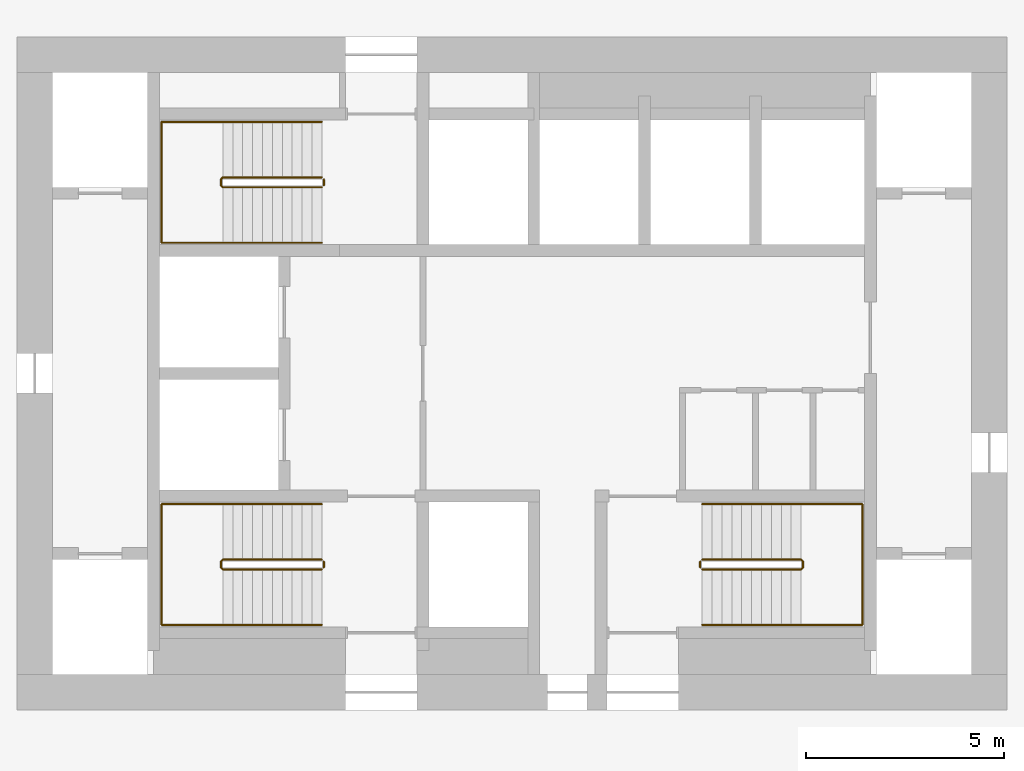
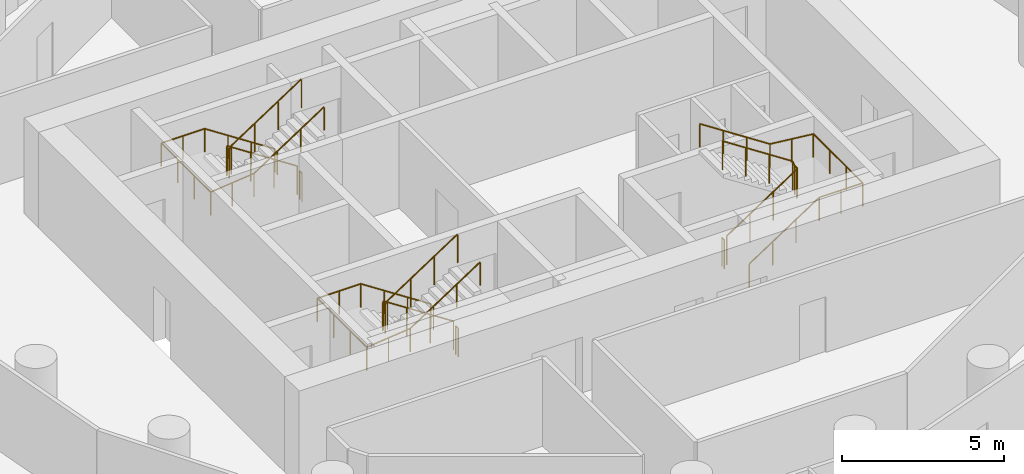
# One storey, part 9 of 9: 9 railings.
"""IFC4 building model written with IfcOpenShell, lengths in metres."""

import ifcopenshell
import ifcopenshell.guid

model = None  # the IFC model being written
_history = None  # IfcOwnerHistory: only IFC2X3 demands one
_inside = {}  # id of a spatial element -> (the spatial element, [elements in it])
_under = {}  # id of a project, library or spatial element -> (it, [spatial elements below it])
_declared = {}  # id of a project -> (the project, [libraries it declares])
_typed = {}  # id of a type object -> (the type object, [elements of that type])
_made_of = {}  # id of a material, layer set ... -> (it, [elements and type objects made of it])


def new_model(schema):
    """Start an empty IFC model of exactly this schema.

    Asked for "IFC4X3", IfcOpenShell would pick the latest addendum, in which some entities
    have other attributes; the version numbers below select the first issue.
    IFC2X3 requires an IfcOwnerHistory on every rooted entity: one is made here for all.
    """
    global model, _history
    if schema == "IFC4X3":
        model = ifcopenshell.file(schema_version=(4, 3, 0, 0))
    else:
        model = ifcopenshell.file(schema=schema)
    _inside.clear()
    _under.clear()
    _declared.clear()
    _typed.clear()
    _made_of.clear()
    _history = None
    if model.schema == "IFC2X3":
        org = make("IfcOrganization", Name="unknown")
        user = make(
            "IfcPersonAndOrganization",
            ThePerson=make("IfcPerson", FamilyName="unknown"),
            TheOrganization=org,
        )
        app = make(
            "IfcApplication",
            ApplicationDeveloper=org,
            Version="unknown",
            ApplicationFullName="unknown",
            ApplicationIdentifier="unknown",
        )
        _history = make(
            "IfcOwnerHistory",
            OwningUser=user,
            OwningApplication=app,
            ChangeAction="ADDED",
            CreationDate=0,
        )
    return model


def make(cls, **values):
    """One entity of the class cls with the attributes given. An attribute that is None is left unset."""
    return model.create_entity(
        cls, **{name: value for name, value in values.items() if value is not None}
    )


def rooted(cls, **values):
    """An entity with a GlobalId (a new one), such as an element, a storey or a relation."""
    return make(cls, GlobalId=ifcopenshell.guid.new(), OwnerHistory=_history, **values)


def si_unit(unit_type, name, prefix=None):
    """IfcSIUnit, for example si_unit("LENGTHUNIT", "METRE", prefix="MILLI")."""
    return make("IfcSIUnit", UnitType=unit_type, Prefix=prefix, Name=name)


def assignment(units):
    """IfcUnitAssignment: the units of a project."""
    return None if units is None else make("IfcUnitAssignment", Units=units)


def point(xyz):
    """IfcCartesianPoint."""
    return None if xyz is None else make("IfcCartesianPoint", Coordinates=xyz)


def direction(xyz):
    """IfcDirection."""
    return None if xyz is None else make("IfcDirection", DirectionRatios=xyz)


def frame(location, z_axis=None, x_axis=None):
    """IfcAxis2Placement3D, a coordinate frame: its origin and axes. An axis left out is left unset."""
    return make(
        "IfcAxis2Placement3D",
        Location=point(location),
        Axis=direction(z_axis),
        RefDirection=direction(x_axis),
    )


def frame_2d(location, x_axis=None):
    """IfcAxis2Placement2D, a coordinate frame in the plane: its origin and x axis."""
    return make(
        "IfcAxis2Placement2D", Location=point(location), RefDirection=direction(x_axis)
    )


def origin():
    """The frame at (0, 0, 0) with its axes left unset."""
    return frame((0.0, 0.0, 0.0))


def origin_2d():
    """The frame at (0, 0) in the plane with its x axis left unset."""
    return frame_2d((0.0, 0.0))


def place(relative_to, where):
    """IfcLocalPlacement: puts the frame where relative to a parent placement (None: the world)."""
    return make(
        "IfcLocalPlacement", PlacementRelTo=relative_to, RelativePlacement=where
    )


def context(
    kind, dimensions, precision=None, world=None, true_north=None, identifier=None
):
    """IfcGeometricRepresentationContext, for example the 3D "Model" context."""
    return make(
        "IfcGeometricRepresentationContext",
        ContextIdentifier=identifier,
        ContextType=kind,
        CoordinateSpaceDimension=dimensions,
        Precision=precision,
        WorldCoordinateSystem=world,
        TrueNorth=true_north,
    )


def subcontext(parent, identifier, kind, view, scale=None):
    """IfcGeometricRepresentationSubContext, for example "Body" below "Model"."""
    return make(
        "IfcGeometricRepresentationSubContext",
        ContextIdentifier=identifier,
        ContextType=kind,
        ParentContext=parent,
        TargetScale=scale,
        TargetView=view,
    )


def project(units=None, contexts=None):
    """IfcProject with its units and contexts."""
    return rooted(
        "IfcProject",
        Name="project",
        RepresentationContexts=contexts,
        UnitsInContext=assignment(units),
    )


def spatial(cls, under=None, at=None, **own):
    """A site, building, storey or space (cls), placed at a placement, below another one or the project."""
    s = rooted(cls, ObjectPlacement=at, **own)
    if under is not None:
        _under.setdefault(under.id(), (under, []))[1].append(s)
    return s


def profile(cls, at=None, kind="AREA", **sizes):
    """A parametric profile (cls). Its sizes go by their IFC names, for example OverallWidth=200.0."""
    return make(cls, ProfileType=kind, Position=at, **sizes)


def circle(**sizes):
    """IfcCircleProfileDef."""
    return profile("IfcCircleProfileDef", **sizes)


def extrude(swept, where, along, depth):
    """IfcExtrudedAreaSolid: the profile swept, set in the frame where, extruded along a direction by depth."""
    return make(
        "IfcExtrudedAreaSolid",
        SweptArea=swept,
        Position=where,
        ExtrudedDirection=direction(along),
        Depth=depth,
    )


def shape(context_of_items, identifier, shape_type, items):
    """IfcShapeRepresentation: the items that make up one representation, for example the "Body"."""
    return make(
        "IfcShapeRepresentation",
        ContextOfItems=context_of_items,
        RepresentationIdentifier=identifier,
        RepresentationType=shape_type,
        Items=items,
    )


def material(Name=None, Category=None):
    """IfcMaterial."""
    return make("IfcMaterial", Name=Name, Category=Category)


def made_of(thing, what):
    """Note that an element or type object is made of a material, layer set ...; save() writes the relation."""
    if what is not None:
        _made_of.setdefault(what.id(), (what, []))[1].append(thing)
    return thing


def type_object(cls, material=None, **own):
    """A type object (cls), such as IfcWallType, which elements share."""
    return made_of(rooted(cls, **own), material)


def element(
    cls,
    number,
    at=None,
    inside=None,
    cuts=None,
    type_object=None,
    material=None,
    context=None,
    identifier="Body",
    shape_type=None,
    held_by="IfcProductDefinitionShape",
    body=None,
    shapes=None,
    **own,
):
    """One element of the class cls, such as IfcWall. Its Tag is "e" and its number.

    at: its placement. inside: the storey or other place that contains it. cuts: it is an
    opening in that element (IfcRelVoidsElement). A single representation is given by context,
    identifier, shape_type and body (its items); several are given by shapes. held_by: the class
    of the entity that holds the representations. save() writes the other relations.
    """
    e = rooted(cls, Tag="e%d" % number, ObjectPlacement=at, **own)
    if body is not None:
        shapes = [shape(context, identifier, shape_type, body)]
    if shapes is not None:
        e.Representation = make(held_by, Representations=shapes)
    if inside is not None:
        _inside.setdefault(inside.id(), (inside, []))[1].append(e)
    if cuts is not None:
        rooted(
            "IfcRelVoidsElement", RelatingBuildingElement=cuts, RelatedOpeningElement=e
        )
    if type_object is not None:
        _typed.setdefault(type_object.id(), (type_object, []))[1].append(e)
    return made_of(e, material)


def aggregate(whole, parts):
    """IfcRelAggregates: a whole, such as a stair, and the parts it consists of."""
    return rooted("IfcRelAggregates", RelatingObject=whole, RelatedObjects=parts)


def save(model, path):
    """Write the relations noted so far, then the file.

    IfcRelAggregates (storeys below a building ...), IfcRelContainedInSpatialStructure (elements
    in a storey), IfcRelDefinesByType, IfcRelAssociatesMaterial and IfcRelDeclares: one each for
    every whole, place, type object, material and project.
    """
    for whole, parts in _under.values():
        aggregate(whole, parts)
    for where, things in _inside.values():
        rooted(
            "IfcRelContainedInSpatialStructure",
            RelatedElements=things,
            RelatingStructure=where,
        )
    for kind, things in _typed.values():
        rooted("IfcRelDefinesByType", RelatedObjects=things, RelatingType=kind)
    for what, things in _made_of.values():
        rooted("IfcRelAssociatesMaterial", RelatedObjects=things, RelatingMaterial=what)
    for by, libraries in _declared.values():
        rooted("IfcRelDeclares", RelatingContext=by, RelatedDefinitions=libraries)
    model.write(path)


model = new_model("IFC4")

# Units and contexts
model_context = context("Model", 3, precision=1e-05, world=origin(), true_north=direction((0.0, 1.0)))
body_context = subcontext(model_context, "Body", "Model", "MODEL_VIEW")
ifc_project = project(units=[si_unit("LENGTHUNIT", "METRE"), si_unit("AREAUNIT", "SQUARE_METRE"), si_unit("VOLUMEUNIT", "CUBIC_METRE"), si_unit("PLANEANGLEUNIT", "RADIAN"), si_unit("MASSUNIT", "GRAM", prefix="KILO")], contexts=[model_context])

# Site, building, storey
site_placement = place(None, origin())
site = spatial("IfcSite", under=ifc_project, at=site_placement, CompositionType="ELEMENT")
building_placement = place(site_placement, origin())
building = spatial("IfcBuilding", under=site, at=building_placement, Name="Tracery Tower", CompositionType="ELEMENT")
storey_placement = place(building_placement, frame((0.0, 0.0, 180.0)))
storey = spatial("IfcBuildingStorey", under=building, at=storey_placement, Name="L46", CompositionType="ELEMENT", Elevation=180.0)

# Railings
ifc_material_1 = material(Name="Stainless steel and laminated glass", Category="steel")
railing_type_1 = type_object("IfcRailingType", Name="Stair guard 1100", PredefinedType="GUARDRAIL", material=ifc_material_1)
railing_1_placement = place(storey_placement, frame((-4.800048828125, -4.699951171875, 0.16357421875)))
element("IfcRailing", 1, at=railing_1_placement, inside=storey, type_object=railing_type_1, Name="L46 stair ST1 guard 1", PredefinedType="GUARDRAIL", context=body_context, shape_type="SweptSolid", body=[
    extrude(circle(Radius=0.02392578125, at=origin_2d()), frame((0.0, 0.0, 1.076171875), z_axis=(-0.83668449804, 0.0, 0.54768517484), x_axis=(0.0, -1.0, 0.0)), (0.0, 0.0, 1.0), 2.988037109375),
    extrude(circle(Radius=0.02392578125, at=origin_2d()), frame((-2.5, 0.0, 2.71240234375), z_axis=(-0.707106781187, -0.707106781187, 0.0), x_axis=(0.707106781187, -0.707106781187, 0.0)), (0.0, 0.0, 1.0), 0.07080078125),
    extrude(circle(Radius=0.02392578125, at=origin_2d()), frame((-2.550048828125, -0.050048828125, 2.71240234375), z_axis=(0.0, -1.0, 0.0), x_axis=(1.0, 0.0, 0.0)), (0.0, 0.0, 1.0), 0.14990234375),
    extrude(circle(Radius=0.02392578125, at=origin_2d()), frame((-2.550048828125, -0.199951171875, 2.71240234375), z_axis=(0.280808744504, -0.280808744504, 0.917765164963), x_axis=(0.707106781187, 0.707106781187, 0.0)), (0.0, 0.0, 1.0), 0.17822265625),
    extrude(circle(Radius=0.02392578125, at=origin_2d()), frame((-2.5, -0.25, 2.8759765625), z_axis=(0.83668449804, 0.0, 0.54768517484), x_axis=(0.0, 1.0, 0.0)), (0.0, 0.0, 1.0), 2.988037109375),
    extrude(circle(Radius=0.02099609375, at=origin_2d()), origin(), (0.0, 0.0, 1.0), 1.052001953125),
    extrude(circle(Radius=0.02099609375, at=origin_2d()), frame((-0.833251953125, 0.0, 0.54541015625)), (0.0, 0.0, 1.0), 1.052001953125),
    extrude(circle(Radius=0.02099609375, at=origin_2d()), frame((-1.666748046875, 0.0, 1.091064453125)), (0.0, 0.0, 1.0), 1.052001953125),
    extrude(circle(Radius=0.02099609375, at=origin_2d()), frame((-2.5, 0.0, 1.636474609375)), (0.0, 0.0, 1.0), 1.052001953125),
    extrude(circle(Radius=0.02099609375, at=origin_2d()), frame((-2.550048828125, -0.050048828125, 1.636474609375)), (0.0, 0.0, 1.0), 1.052001953125),
    extrude(circle(Radius=0.02099609375, at=origin_2d()), frame((-2.550048828125, -0.199951171875, 1.636474609375)), (0.0, 0.0, 1.0), 1.052001953125),
    extrude(circle(Radius=0.02099609375, at=origin_2d()), frame((-2.5, -0.25, 1.800048828125)), (0.0, 0.0, 1.0), 1.052001953125),
    extrude(circle(Radius=0.02099609375, at=origin_2d()), frame((-1.666748046875, -0.25, 2.345458984375)), (0.0, 0.0, 1.0), 1.052001953125),
    extrude(circle(Radius=0.02099609375, at=origin_2d()), frame((-0.833251953125, -0.25, 2.89111328125)), (0.0, 0.0, 1.0), 1.052001953125),
    extrude(circle(Radius=0.02099609375, at=origin_2d()), frame((0.0, -0.25, 3.4365234375)), (0.0, 0.0, 1.0), 1.052001953125),
])
railing_2_placement = place(storey_placement, frame((-4.75, -4.75, 0.0)))
element("IfcRailing", 2, at=railing_2_placement, inside=storey, type_object=railing_type_1, Name="L46 stair ST1 guard 2", PredefinedType="GUARDRAIL", context=body_context, shape_type="SweptSolid", body=[
    extrude(circle(Radius=0.02392578125, at=origin_2d()), frame((0.0, 0.0, 1.076171875), z_axis=(0.0, -1.0, 0.0), x_axis=(1.0, 0.0, 0.0)), (0.0, 0.0, 1.0), 0.14990234375),
    extrude(circle(Radius=0.02099609375, at=origin_2d()), origin(), (0.0, 0.0, 1.0), 1.052001953125),
    extrude(circle(Radius=0.02099609375, at=origin_2d()), frame((0.0, -0.14990234375, 0.0)), (0.0, 0.0, 1.0), 1.052001953125),
])
railing_3_placement = place(storey_placement, frame((-4.800048828125, 4.949951171875, 0.16357421875)))
element("IfcRailing", 3, at=railing_3_placement, inside=storey, type_object=railing_type_1, Name="L46 stair ST3 guard 1", PredefinedType="GUARDRAIL", context=body_context, shape_type="SweptSolid", body=[
    extrude(circle(Radius=0.02392578125, at=origin_2d()), frame((0.0, 0.0, 1.076171875), z_axis=(-0.83668449804, 0.0, 0.54768517484), x_axis=(0.0, -1.0, 0.0)), (0.0, 0.0, 1.0), 2.988037109375),
    extrude(circle(Radius=0.02392578125, at=origin_2d()), frame((-2.5, 0.0, 2.71240234375), z_axis=(-0.707106781187, -0.707106781187, 0.0), x_axis=(0.707106781187, -0.707106781187, 0.0)), (0.0, 0.0, 1.0), 0.07080078125),
    extrude(circle(Radius=0.02392578125, at=origin_2d()), frame((-2.550048828125, -0.050048828125, 2.71240234375), z_axis=(0.0, -1.0, 0.0), x_axis=(1.0, 0.0, 0.0)), (0.0, 0.0, 1.0), 0.14990234375),
    extrude(circle(Radius=0.02392578125, at=origin_2d()), frame((-2.550048828125, -0.199951171875, 2.71240234375), z_axis=(0.280808744504, -0.280808744504, 0.917765164963), x_axis=(0.707106781187, 0.707106781187, 0.0)), (0.0, 0.0, 1.0), 0.17822265625),
    extrude(circle(Radius=0.02392578125, at=origin_2d()), frame((-2.5, -0.25, 2.8759765625), z_axis=(0.83668449804, 0.0, 0.54768517484), x_axis=(0.0, 1.0, 0.0)), (0.0, 0.0, 1.0), 2.988037109375),
    extrude(circle(Radius=0.02099609375, at=origin_2d()), origin(), (0.0, 0.0, 1.0), 1.052001953125),
    extrude(circle(Radius=0.02099609375, at=origin_2d()), frame((-0.833251953125, 0.0, 0.54541015625)), (0.0, 0.0, 1.0), 1.052001953125),
    extrude(circle(Radius=0.02099609375, at=origin_2d()), frame((-1.666748046875, 0.0, 1.091064453125)), (0.0, 0.0, 1.0), 1.052001953125),
    extrude(circle(Radius=0.02099609375, at=origin_2d()), frame((-2.5, 0.0, 1.636474609375)), (0.0, 0.0, 1.0), 1.052001953125),
    extrude(circle(Radius=0.02099609375, at=origin_2d()), frame((-2.550048828125, -0.050048828125, 1.636474609375)), (0.0, 0.0, 1.0), 1.052001953125),
    extrude(circle(Radius=0.02099609375, at=origin_2d()), frame((-2.550048828125, -0.199951171875, 1.636474609375)), (0.0, 0.0, 1.0), 1.052001953125),
    extrude(circle(Radius=0.02099609375, at=origin_2d()), frame((-2.5, -0.25, 1.800048828125)), (0.0, 0.0, 1.0), 1.052001953125),
    extrude(circle(Radius=0.02099609375, at=origin_2d()), frame((-1.666748046875, -0.25, 2.345458984375)), (0.0, 0.0, 1.0), 1.052001953125),
    extrude(circle(Radius=0.02099609375, at=origin_2d()), frame((-0.833251953125, -0.25, 2.89111328125)), (0.0, 0.0, 1.0), 1.052001953125),
    extrude(circle(Radius=0.02099609375, at=origin_2d()), frame((0.0, -0.25, 3.4365234375)), (0.0, 0.0, 1.0), 1.052001953125),
])
railing_4_placement = place(storey_placement, frame((-4.75, 4.89990234375, 0.0)))
element("IfcRailing", 4, at=railing_4_placement, inside=storey, type_object=railing_type_1, Name="L46 stair ST3 guard 2", PredefinedType="GUARDRAIL", context=body_context, shape_type="SweptSolid", body=[
    extrude(circle(Radius=0.02392578125, at=origin_2d()), frame((0.0, 0.0, 1.076171875), z_axis=(0.0, -1.0, 0.0), x_axis=(1.0, 0.0, 0.0)), (0.0, 0.0, 1.0), 0.14990234375),
    extrude(circle(Radius=0.02099609375, at=origin_2d()), origin(), (0.0, 0.0, 1.0), 1.052001953125),
    extrude(circle(Radius=0.02099609375, at=origin_2d()), frame((0.0, -0.14990234375, 0.0)), (0.0, 0.0, 1.0), 1.052001953125),
])
railing_5_placement = place(storey_placement, frame((4.800048828125, -4.949951171875, 0.16357421875)))
element("IfcRailing", 5, at=railing_5_placement, inside=storey, type_object=railing_type_1, Name="L46 stair ST2 guard 1", PredefinedType="GUARDRAIL", context=body_context, shape_type="SweptSolid", body=[
    extrude(circle(Radius=0.02392578125, at=origin_2d()), frame((0.0, 0.0, 1.076171875), z_axis=(0.83668449804, 0.0, 0.54768517484), x_axis=(0.0, 1.0, 0.0)), (0.0, 0.0, 1.0), 2.988037109375),
    extrude(circle(Radius=0.02392578125, at=origin_2d()), frame((2.5, 0.0, 2.71240234375), z_axis=(0.707106781187, 0.707106781187, 0.0), x_axis=(-0.707106781187, 0.707106781187, 0.0)), (0.0, 0.0, 1.0), 0.07080078125),
    extrude(circle(Radius=0.02392578125, at=origin_2d()), frame((2.550048828125, 0.050048828125, 2.71240234375), z_axis=(0.0, 1.0, 0.0), x_axis=(-1.0, 0.0, 0.0)), (0.0, 0.0, 1.0), 0.14990234375),
    extrude(circle(Radius=0.02392578125, at=origin_2d()), frame((2.550048828125, 0.199951171875, 2.71240234375), z_axis=(-0.280808744504, 0.280808744504, 0.917765164963), x_axis=(-0.707106781187, -0.707106781187, 0.0)), (0.0, 0.0, 1.0), 0.17822265625),
    extrude(circle(Radius=0.02392578125, at=origin_2d()), frame((2.5, 0.25, 2.8759765625), z_axis=(-0.83668449804, 0.0, 0.54768517484), x_axis=(0.0, -1.0, 0.0)), (0.0, 0.0, 1.0), 2.988037109375),
    extrude(circle(Radius=0.02099609375, at=origin_2d()), origin(), (0.0, 0.0, 1.0), 1.052001953125),
    extrude(circle(Radius=0.02099609375, at=origin_2d()), frame((0.833251953125, 0.0, 0.54541015625)), (0.0, 0.0, 1.0), 1.052001953125),
    extrude(circle(Radius=0.02099609375, at=origin_2d()), frame((1.666748046875, 0.0, 1.091064453125)), (0.0, 0.0, 1.0), 1.052001953125),
    extrude(circle(Radius=0.02099609375, at=origin_2d()), frame((2.5, 0.0, 1.636474609375)), (0.0, 0.0, 1.0), 1.052001953125),
    extrude(circle(Radius=0.02099609375, at=origin_2d()), frame((2.550048828125, 0.050048828125, 1.636474609375)), (0.0, 0.0, 1.0), 1.052001953125),
    extrude(circle(Radius=0.02099609375, at=origin_2d()), frame((2.550048828125, 0.199951171875, 1.636474609375)), (0.0, 0.0, 1.0), 1.052001953125),
    extrude(circle(Radius=0.02099609375, at=origin_2d()), frame((2.5, 0.25, 1.800048828125)), (0.0, 0.0, 1.0), 1.052001953125),
    extrude(circle(Radius=0.02099609375, at=origin_2d()), frame((1.666748046875, 0.25, 2.345458984375)), (0.0, 0.0, 1.0), 1.052001953125),
    extrude(circle(Radius=0.02099609375, at=origin_2d()), frame((0.833251953125, 0.25, 2.89111328125)), (0.0, 0.0, 1.0), 1.052001953125),
    extrude(circle(Radius=0.02099609375, at=origin_2d()), frame((0.0, 0.25, 3.4365234375)), (0.0, 0.0, 1.0), 1.052001953125),
])
railing_6_placement = place(storey_placement, frame((4.75, -4.89990234375, 0.0)))
element("IfcRailing", 6, at=railing_6_placement, inside=storey, type_object=railing_type_1, Name="L46 stair ST2 guard 2", PredefinedType="GUARDRAIL", context=body_context, shape_type="SweptSolid", body=[
    extrude(circle(Radius=0.02392578125, at=origin_2d()), frame((0.0, 0.0, 1.076171875), z_axis=(0.0, 1.0, 0.0), x_axis=(-1.0, 0.0, 0.0)), (0.0, 0.0, 1.0), 0.14990234375),
    extrude(circle(Radius=0.02099609375, at=origin_2d()), origin(), (0.0, 0.0, 1.0), 1.052001953125),
    extrude(circle(Radius=0.02099609375, at=origin_2d()), frame((0.0, 0.14990234375, 0.0)), (0.0, 0.0, 1.0), 1.052001953125),
])
ifc_material_2 = material(Name="Stainless steel and laminated glass", Category="steel")
railing_type_2 = type_object("IfcRailingType", Name="Stair handrail 900", PredefinedType="HANDRAIL", material=ifc_material_2)
railing_7_placement = place(storey_placement, frame((-4.800048828125, -3.300048828125, 0.16357421875)))
element("IfcRailing", 7, at=railing_7_placement, inside=storey, type_object=railing_type_2, Name="L46 stair ST1 handrail 1", PredefinedType="HANDRAIL", context=body_context, shape_type="SweptSolid", body=[
    extrude(circle(Radius=0.02392578125, at=origin_2d()), frame((0.0, 0.0, 0.8759765625), z_axis=(-0.83668449804, 0.0, 0.54768517484), x_axis=(0.0, -1.0, 0.0)), (0.0, 0.0, 1.0), 2.988037109375),
    extrude(circle(Radius=0.02392578125, at=origin_2d()), frame((-2.5, 0.0, 2.51220703125), z_axis=(-1.0, 0.0, 0.0), x_axis=(0.0, -1.0, 0.0)), (0.0, 0.0, 1.0), 1.550048828125),
    extrude(circle(Radius=0.02392578125, at=origin_2d()), frame((-4.050048828125, 0.0, 2.51220703125), z_axis=(0.0, -1.0, 0.0), x_axis=(1.0, 0.0, 0.0)), (0.0, 0.0, 1.0), 3.050048828125),
    extrude(circle(Radius=0.02392578125, at=origin_2d()), frame((-4.050048828125, -3.050048828125, 2.51220703125), z_axis=(0.994477953863, 0.0, 0.104945696817), x_axis=(0.0, 1.0, 0.0)), (0.0, 0.0, 1.0), 1.55859375),
    extrude(circle(Radius=0.02392578125, at=origin_2d()), frame((-2.5, -3.050048828125, 2.67578125), z_axis=(0.83668449804, 0.0, 0.54768517484), x_axis=(0.0, 1.0, 0.0)), (0.0, 0.0, 1.0), 2.988037109375),
    extrude(circle(Radius=0.02099609375, at=origin_2d()), origin(), (0.0, 0.0, 1.0), 0.851806640625),
    extrude(circle(Radius=0.02099609375, at=origin_2d()), frame((-0.833251953125, 0.0, 0.54541015625)), (0.0, 0.0, 1.0), 0.851806640625),
    extrude(circle(Radius=0.02099609375, at=origin_2d()), frame((-1.666748046875, 0.0, 1.091064453125)), (0.0, 0.0, 1.0), 0.851806640625),
    extrude(circle(Radius=0.02099609375, at=origin_2d()), frame((-2.5, 0.0, 1.636474609375)), (0.0, 0.0, 1.0), 0.851806640625),
    extrude(circle(Radius=0.02099609375, at=origin_2d()), frame((-3.27490234375, 0.0, 1.636474609375)), (0.0, 0.0, 1.0), 0.851806640625),
    extrude(circle(Radius=0.02099609375, at=origin_2d()), frame((-4.050048828125, 0.0, 1.636474609375)), (0.0, 0.0, 1.0), 0.851806640625),
    extrude(circle(Radius=0.02099609375, at=origin_2d()), frame((-4.050048828125, -1.0166015625, 1.636474609375)), (0.0, 0.0, 1.0), 0.851806640625),
    extrude(circle(Radius=0.02099609375, at=origin_2d()), frame((-4.050048828125, -2.033447265625, 1.636474609375)), (0.0, 0.0, 1.0), 0.851806640625),
    extrude(circle(Radius=0.02099609375, at=origin_2d()), frame((-4.050048828125, -3.050048828125, 1.636474609375)), (0.0, 0.0, 1.0), 0.851806640625),
    extrude(circle(Radius=0.02099609375, at=origin_2d()), frame((-3.27490234375, -3.050048828125, 1.71826171875)), (0.0, 0.0, 1.0), 0.851806640625),
    extrude(circle(Radius=0.02099609375, at=origin_2d()), frame((-2.5, -3.050048828125, 1.800048828125)), (0.0, 0.0, 1.0), 0.851806640625),
    extrude(circle(Radius=0.02099609375, at=origin_2d()), frame((-1.666748046875, -3.050048828125, 2.345458984375)), (0.0, 0.0, 1.0), 0.851806640625),
    extrude(circle(Radius=0.02099609375, at=origin_2d()), frame((-0.833251953125, -3.050048828125, 2.89111328125)), (0.0, 0.0, 1.0), 0.851806640625),
    extrude(circle(Radius=0.02099609375, at=origin_2d()), frame((0.0, -3.050048828125, 3.4365234375)), (0.0, 0.0, 1.0), 0.851806640625),
])
railing_8_placement = place(storey_placement, frame((-4.800048828125, 6.35009765625, 0.16357421875)))
element("IfcRailing", 8, at=railing_8_placement, inside=storey, type_object=railing_type_2, Name="L46 stair ST3 handrail 1", PredefinedType="HANDRAIL", context=body_context, shape_type="SweptSolid", body=[
    extrude(circle(Radius=0.02392578125, at=origin_2d()), frame((0.0, 0.0, 0.8759765625), z_axis=(-0.83668449804, 0.0, 0.54768517484), x_axis=(0.0, -1.0, 0.0)), (0.0, 0.0, 1.0), 2.988037109375),
    extrude(circle(Radius=0.02392578125, at=origin_2d()), frame((-2.5, 0.0, 2.51220703125), z_axis=(-1.0, 0.0, 0.0), x_axis=(0.0, -1.0, 0.0)), (0.0, 0.0, 1.0), 1.550048828125),
    extrude(circle(Radius=0.02392578125, at=origin_2d()), frame((-4.050048828125, 0.0, 2.51220703125), z_axis=(0.0, -1.0, 0.0), x_axis=(1.0, 0.0, 0.0)), (0.0, 0.0, 1.0), 3.050048828125),
    extrude(circle(Radius=0.02392578125, at=origin_2d()), frame((-4.050048828125, -3.050048828125, 2.51220703125), z_axis=(0.994477953863, 0.0, 0.104945696817), x_axis=(0.0, 1.0, 0.0)), (0.0, 0.0, 1.0), 1.55859375),
    extrude(circle(Radius=0.02392578125, at=origin_2d()), frame((-2.5, -3.050048828125, 2.67578125), z_axis=(0.83668449804, 0.0, 0.54768517484), x_axis=(0.0, 1.0, 0.0)), (0.0, 0.0, 1.0), 2.988037109375),
    extrude(circle(Radius=0.02099609375, at=origin_2d()), origin(), (0.0, 0.0, 1.0), 0.851806640625),
    extrude(circle(Radius=0.02099609375, at=origin_2d()), frame((-0.833251953125, 0.0, 0.54541015625)), (0.0, 0.0, 1.0), 0.851806640625),
    extrude(circle(Radius=0.02099609375, at=origin_2d()), frame((-1.666748046875, 0.0, 1.091064453125)), (0.0, 0.0, 1.0), 0.851806640625),
    extrude(circle(Radius=0.02099609375, at=origin_2d()), frame((-2.5, 0.0, 1.636474609375)), (0.0, 0.0, 1.0), 0.851806640625),
    extrude(circle(Radius=0.02099609375, at=origin_2d()), frame((-3.27490234375, 0.0, 1.636474609375)), (0.0, 0.0, 1.0), 0.851806640625),
    extrude(circle(Radius=0.02099609375, at=origin_2d()), frame((-4.050048828125, 0.0, 1.636474609375)), (0.0, 0.0, 1.0), 0.851806640625),
    extrude(circle(Radius=0.02099609375, at=origin_2d()), frame((-4.050048828125, -1.0166015625, 1.636474609375)), (0.0, 0.0, 1.0), 0.851806640625),
    extrude(circle(Radius=0.02099609375, at=origin_2d()), frame((-4.050048828125, -2.033447265625, 1.636474609375)), (0.0, 0.0, 1.0), 0.851806640625),
    extrude(circle(Radius=0.02099609375, at=origin_2d()), frame((-4.050048828125, -3.050048828125, 1.636474609375)), (0.0, 0.0, 1.0), 0.851806640625),
    extrude(circle(Radius=0.02099609375, at=origin_2d()), frame((-3.27490234375, -3.050048828125, 1.71826171875)), (0.0, 0.0, 1.0), 0.851806640625),
    extrude(circle(Radius=0.02099609375, at=origin_2d()), frame((-2.5, -3.050048828125, 1.800048828125)), (0.0, 0.0, 1.0), 0.851806640625),
    extrude(circle(Radius=0.02099609375, at=origin_2d()), frame((-1.666748046875, -3.050048828125, 2.345458984375)), (0.0, 0.0, 1.0), 0.851806640625),
    extrude(circle(Radius=0.02099609375, at=origin_2d()), frame((-0.833251953125, -3.050048828125, 2.89111328125)), (0.0, 0.0, 1.0), 0.851806640625),
    extrude(circle(Radius=0.02099609375, at=origin_2d()), frame((0.0, -3.050048828125, 3.4365234375)), (0.0, 0.0, 1.0), 0.851806640625),
])
railing_9_placement = place(storey_placement, frame((4.800048828125, -6.35009765625, 0.16357421875)))
element("IfcRailing", 9, at=railing_9_placement, inside=storey, type_object=railing_type_2, Name="L46 stair ST2 handrail 1", PredefinedType="HANDRAIL", context=body_context, shape_type="SweptSolid", body=[
    extrude(circle(Radius=0.02392578125, at=origin_2d()), frame((0.0, 0.0, 0.8759765625), z_axis=(0.83668449804, 0.0, 0.54768517484), x_axis=(0.0, 1.0, 0.0)), (0.0, 0.0, 1.0), 2.988037109375),
    extrude(circle(Radius=0.02392578125, at=origin_2d()), frame((2.5, 0.0, 2.51220703125), z_axis=(1.0, 0.0, 0.0), x_axis=(0.0, 1.0, 0.0)), (0.0, 0.0, 1.0), 1.550048828125),
    extrude(circle(Radius=0.02392578125, at=origin_2d()), frame((4.050048828125, 0.0, 2.51220703125), z_axis=(0.0, 1.0, 0.0), x_axis=(-1.0, 0.0, 0.0)), (0.0, 0.0, 1.0), 3.050048828125),
    extrude(circle(Radius=0.02392578125, at=origin_2d()), frame((4.050048828125, 3.050048828125, 2.51220703125), z_axis=(-0.994477953863, 0.0, 0.104945696817), x_axis=(0.0, -1.0, 0.0)), (0.0, 0.0, 1.0), 1.55859375),
    extrude(circle(Radius=0.02392578125, at=origin_2d()), frame((2.5, 3.050048828125, 2.67578125), z_axis=(-0.83668449804, 0.0, 0.54768517484), x_axis=(0.0, -1.0, 0.0)), (0.0, 0.0, 1.0), 2.988037109375),
    extrude(circle(Radius=0.02099609375, at=origin_2d()), origin(), (0.0, 0.0, 1.0), 0.851806640625),
    extrude(circle(Radius=0.02099609375, at=origin_2d()), frame((0.833251953125, 0.0, 0.54541015625)), (0.0, 0.0, 1.0), 0.851806640625),
    extrude(circle(Radius=0.02099609375, at=origin_2d()), frame((1.666748046875, 0.0, 1.091064453125)), (0.0, 0.0, 1.0), 0.851806640625),
    extrude(circle(Radius=0.02099609375, at=origin_2d()), frame((2.5, 0.0, 1.636474609375)), (0.0, 0.0, 1.0), 0.851806640625),
    extrude(circle(Radius=0.02099609375, at=origin_2d()), frame((3.27490234375, 0.0, 1.636474609375)), (0.0, 0.0, 1.0), 0.851806640625),
    extrude(circle(Radius=0.02099609375, at=origin_2d()), frame((4.050048828125, 0.0, 1.636474609375)), (0.0, 0.0, 1.0), 0.851806640625),
    extrude(circle(Radius=0.02099609375, at=origin_2d()), frame((4.050048828125, 1.0166015625, 1.636474609375)), (0.0, 0.0, 1.0), 0.851806640625),
    extrude(circle(Radius=0.02099609375, at=origin_2d()), frame((4.050048828125, 2.033447265625, 1.636474609375)), (0.0, 0.0, 1.0), 0.851806640625),
    extrude(circle(Radius=0.02099609375, at=origin_2d()), frame((4.050048828125, 3.050048828125, 1.636474609375)), (0.0, 0.0, 1.0), 0.851806640625),
    extrude(circle(Radius=0.02099609375, at=origin_2d()), frame((3.27490234375, 3.050048828125, 1.71826171875)), (0.0, 0.0, 1.0), 0.851806640625),
    extrude(circle(Radius=0.02099609375, at=origin_2d()), frame((2.5, 3.050048828125, 1.800048828125)), (0.0, 0.0, 1.0), 0.851806640625),
    extrude(circle(Radius=0.02099609375, at=origin_2d()), frame((1.666748046875, 3.050048828125, 2.345458984375)), (0.0, 0.0, 1.0), 0.851806640625),
    extrude(circle(Radius=0.02099609375, at=origin_2d()), frame((0.833251953125, 3.050048828125, 2.89111328125)), (0.0, 0.0, 1.0), 0.851806640625),
    extrude(circle(Radius=0.02099609375, at=origin_2d()), frame((0.0, 3.050048828125, 3.4365234375)), (0.0, 0.0, 1.0), 0.851806640625),
])

save(model, "model.ifc")
